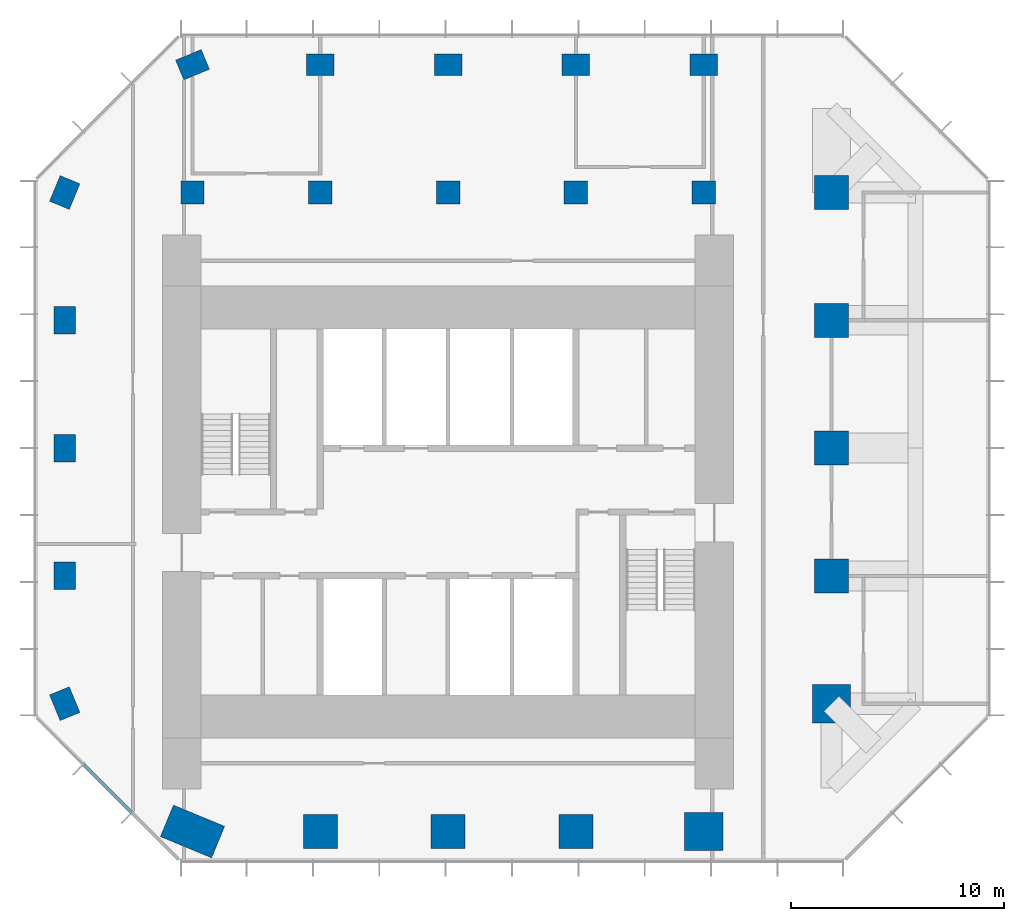
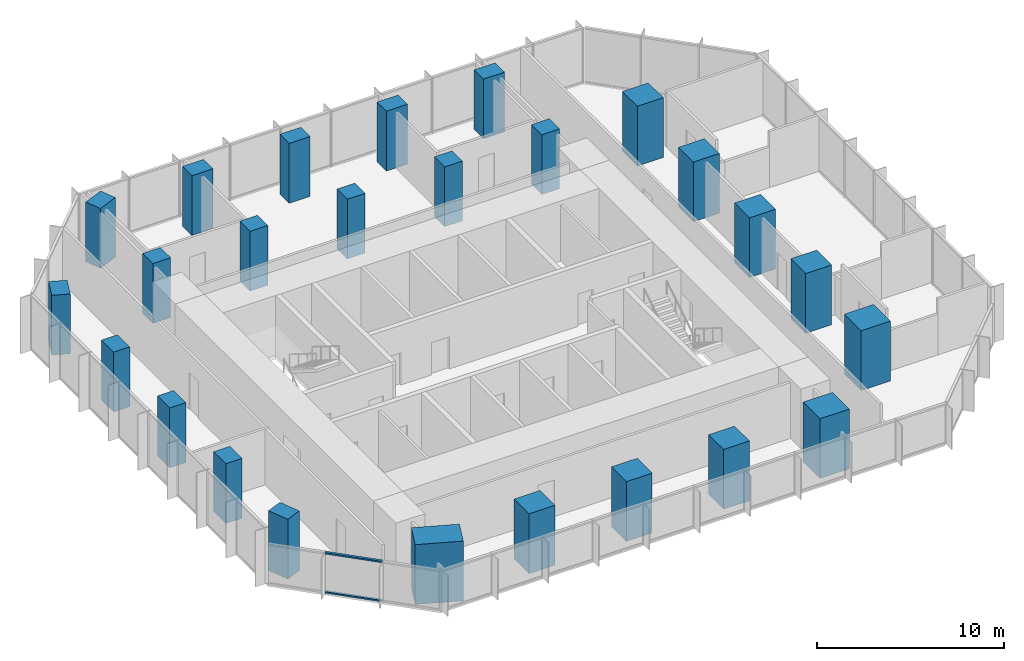
# One storey, part 1 of 10: 25 columns, 2 members, 1 element without a shape of its own.
"""IFC4 building model written with IfcOpenShell, lengths in metres."""

from ifc_helpers import new_model, si_unit, direction, frame, origin, origin_2d, place, context, subcontext, project, spatial, rectangle, extrude, material, layer, layer_set, material_profile, profile_set, type_object, element, aggregate, save


model = new_model("IFC4")

# Units and contexts
model_context = context("Model", 3, precision=1e-05, world=origin(), true_north=direction((0.0, 1.0)))
body_context = subcontext(model_context, "Body", "Model", "MODEL_VIEW")
ifc_project = project(units=[si_unit("LENGTHUNIT", "METRE"), si_unit("AREAUNIT", "SQUARE_METRE"), si_unit("VOLUMEUNIT", "CUBIC_METRE"), si_unit("PLANEANGLEUNIT", "RADIAN"), si_unit("MASSUNIT", "GRAM", prefix="KILO")], contexts=[model_context])

# Site, building, storey
site_placement = place(None, origin())
site = spatial("IfcSite", under=ifc_project, at=site_placement, CompositionType="ELEMENT")
building_placement = place(site_placement, origin())
building = spatial("IfcBuilding", under=site, at=building_placement, Name="Highveld Stack Headquarters", CompositionType="ELEMENT")
storey_placement = place(building_placement, frame((0.0, 0.0, 264.5)))
storey = spatial("IfcBuildingStorey", under=building, at=storey_placement, Name="L65", CompositionType="ELEMENT", Elevation=264.5)

# Columns
ifc_material_1 = material(Name="Concrete C60/75", Category="concrete")
ifc_material_profile_1 = material_profile(ifc_material_1, rectangle(XDim=1.10009765625, YDim=1.10009765625, at=origin_2d()), Name="RC 1100x1100")
ifc_profile_set_1 = profile_set([ifc_material_profile_1], Name="Concrete C60/75")
column_type_1 = type_object("IfcColumnType", Name="COLUMN RC 1100x1100 C60/75", PredefinedType="COLUMN", material=ifc_profile_set_1)
for number, where, z_axis, x_axis, name in (
    (1, (-6.0, 18.0, 0.0), (0.0, 0.0, 1.0), (1.0, 0.0, 0.0), "Column 5/H L65"),
    (2, (0.0, 18.0, 0.0), (0.0, 0.0, 1.0), (1.0, 0.0, 0.0), "Column 6/H L65"),
    (3, (6.0, 18.0, 0.0), (0.0, 0.0, 1.0), (1.0, 0.0, 0.0), "Column 7/H L65"),
    (4, (12.0, 18.0, 0.0), (0.0, 0.0, 1.0), (1.0, 0.0, 0.0), "Column 8/H L65"),
    (5, (18.0, 18.0, 0.0), (0.0, 0.0, 1.0), (1.0, 0.0, 0.0), "Column 9/H L65"),
):
    element("IfcColumn", number, at=place(storey_placement, frame(where, z_axis=z_axis, x_axis=x_axis)), inside=storey, type_object=column_type_1, Name=name, PredefinedType="COLUMN", context=body_context, shape_type="SweptSolid", body=[
        extrude(rectangle(XDim=1.10009765625, YDim=1.10009765625, at=origin_2d()), origin(), (0.0, 0.0, 1.0), 3.89990234375),
    ])
ifc_material_2 = material(Name="Concrete C60/75", Category="concrete")
ifc_material_profile_2 = material_profile(ifc_material_2, rectangle(XDim=1.300048828125, YDim=1.0, at=origin_2d()), Name="RC 1300x1000")
ifc_profile_set_2 = profile_set([ifc_material_profile_2], Name="Concrete C60/75")
column_type_2 = type_object("IfcColumnType", Name="COLUMN RC 1300x1000 C60/75", PredefinedType="COLUMN", material=ifc_profile_set_2)
for number, where, z_axis, x_axis, name in (
    (6, (-12.0, -6.0, 0.0), (0.0, 0.0, 1.0), (-0.382683432365, 0.923879532511, 0.0), "Column 4/D L65"),
    (7, (-12.0, 0.0, 0.0), (0.0, 0.0, 1.0), (0.0, 1.0, 0.0), "Column 4/E L65"),
    (8, (-12.0, 6.0, 0.0), (0.0, 0.0, 1.0), (0.0, 1.0, 0.0), "Column 4/F L65"),
    (9, (-12.0, 12.0, 0.0), (0.0, 0.0, 1.0), (0.0, 1.0, 0.0), "Column 4/G L65"),
    (10, (-12.0, 18.0, 0.0), (0.0, 0.0, 1.0), (0.382683432365, 0.923879532511, 0.0), "Column 4/H L65"),
    (11, (-6.0, 24.0, 0.0), (0.0, 0.0, 1.0), (0.923879532511, 0.382683432365, 0.0), "Column 5/J L65"),
    (12, (0.0, 24.0, 0.0), (0.0, 0.0, 1.0), (1.0, 0.0, 0.0), "Column 6/J L65"),
    (13, (6.0, 24.0, 0.0), (0.0, 0.0, 1.0), (1.0, 0.0, 0.0), "Column 7/J L65"),
    (14, (12.0, 24.0, 0.0), (0.0, 0.0, 1.0), (1.0, 0.0, 0.0), "Column 8/J L65"),
    (15, (18.0, 24.0, 0.0), (0.0, 0.0, 1.0), (1.0, 0.0, 0.0), "Column 9/J L65"),
):
    element("IfcColumn", number, at=place(storey_placement, frame(where, z_axis=z_axis, x_axis=x_axis)), inside=storey, type_object=column_type_2, Name=name, PredefinedType="COLUMN", context=body_context, shape_type="SweptSolid", body=[
        extrude(rectangle(XDim=1.300048828125, YDim=1.0, at=origin_2d()), origin(), (0.0, 0.0, 1.0), 3.89990234375),
    ])
ifc_material_3 = material(Name="Concrete C60/75", Category="concrete")
ifc_material_profile_3 = material_profile(ifc_material_3, rectangle(XDim=1.60009765625, YDim=1.60009765625, at=origin_2d()), Name="RC 1600x1600")
ifc_profile_set_3 = profile_set([ifc_material_profile_3], Name="Concrete C60/75")
column_type_3 = type_object("IfcColumnType", Name="COLUMN RC 1600x1600 C60/75", PredefinedType="COLUMN", material=ifc_profile_set_3)
for number, where, z_axis, x_axis, name in (
    (16, (0.0, -12.0, 0.0), (0.0, 0.0, 1.0), (1.0, 0.0, 0.0), "Column 6/C L65"),
    (17, (6.0, -12.0, 0.0), (0.0, 0.0, 1.0), (1.0, 0.0, 0.0), "Column 7/C L65"),
    (18, (12.0, -12.0, 0.0), (0.0, 0.0, 1.0), (1.0, 0.0, 0.0), "Column 8/C L65"),
    (19, (24.0, 0.0, 0.0), (0.0, 0.0, 1.0), (1.0, 0.0, 0.0), "Column 10/E L65"),
    (20, (24.0, 6.0, 0.0), (0.0, 0.0, 1.0), (1.0, 0.0, 0.0), "Column 10/F L65"),
    (21, (24.0, 12.0, 0.0), (0.0, 0.0, 1.0), (1.0, 0.0, 0.0), "Column 10/G L65"),
    (22, (24.0, 18.0, 0.0), (0.0, 0.0, 1.0), (1.0, 0.0, 0.0), "Column 10/H L65"),
):
    element("IfcColumn", number, at=place(storey_placement, frame(where, z_axis=z_axis, x_axis=x_axis)), inside=storey, type_object=column_type_3, Name=name, PredefinedType="COLUMN", context=body_context, shape_type="SweptSolid", body=[
        extrude(rectangle(XDim=1.60009765625, YDim=1.60009765625, at=origin_2d()), origin(), (0.0, 0.0, 1.0), 3.89990234375),
    ])
ifc_material_4 = material(Name="Concrete C60/75", Category="concrete")
ifc_material_profile_4 = material_profile(ifc_material_4, rectangle(XDim=1.800048828125, YDim=1.800048828125, at=origin_2d()), Name="RC 1800x1800")
ifc_profile_set_4 = profile_set([ifc_material_profile_4], Name="Concrete C60/75")
column_type_4 = type_object("IfcColumnType", Name="COLUMN RC 1800x1800 C60/75", PredefinedType="COLUMN", material=ifc_profile_set_4)
for number, where, z_axis, x_axis, name in (
    (23, (18.0, -12.0, 0.0), (0.0, 0.0, 1.0), (1.0, 0.0, 0.0), "Column 9/C L65"),
    (24, (24.0, -6.0, 0.0), (0.0, 0.0, 1.0), (1.0, 0.0, 0.0), "Column 10/D L65"),
):
    element("IfcColumn", number, at=place(storey_placement, frame(where, z_axis=z_axis, x_axis=x_axis)), inside=storey, type_object=column_type_4, Name=name, PredefinedType="COLUMN", context=body_context, shape_type="SweptSolid", body=[
        extrude(rectangle(XDim=1.800048828125, YDim=1.800048828125, at=origin_2d()), origin(), (0.0, 0.0, 1.0), 3.89990234375),
    ])
ifc_material_5 = material(Name="Concrete C60/75", Category="concrete")
ifc_material_profile_5 = material_profile(ifc_material_5, rectangle(XDim=2.60009765625, YDim=1.60009765625, at=origin_2d()), Name="RC 2600x1600")
ifc_profile_set_5 = profile_set([ifc_material_profile_5], Name="Concrete C60/75")
column_type_5 = type_object("IfcColumnType", Name="COLUMN RC 2600x1600 C60/75", PredefinedType="COLUMN", material=ifc_profile_set_5)
column_placement = place(storey_placement, frame((-6.0, -12.0, 0.0), z_axis=(0.0, 0.0, 1.0), x_axis=(-0.923879532511, 0.382683432365, 0.0)))
element("IfcColumn", 25, at=column_placement, inside=storey, type_object=column_type_5, Name="Column 5/C L65", PredefinedType="COLUMN", context=body_context, shape_type="SweptSolid", body=[
    extrude(rectangle(XDim=2.60009765625, YDim=1.60009765625, at=origin_2d()), origin(), (0.0, 0.0, 1.0), 3.89990234375),
])

# Curtain wall, members
ifc_material_6 = material(Name="Aluminium bronze anodised", Category="aluminium")
ifc_layer = layer(ifc_material_6, 0.199951171875)
ifc_layer_set = layer_set([ifc_layer], Name="Aluminium bronze anodised")
curtain_wall_type = type_object("IfcCurtainWallType", Name="CW5 EXECUTIVE UNITISED CURTAIN WALL", PredefinedType="NOTDEFINED", material=ifc_layer_set)
curtain_wall_placement = place(storey_placement, origin())
curtain_wall = element("IfcCurtainWall", 26, at=curtain_wall_placement, inside=storey, type_object=curtain_wall_type, Name="Curtain wall CW5 L65 SW", PredefinedType="NOTDEFINED")
ifc_material_7 = material(Name="Aluminium bronze anodised", Category="aluminium")
ifc_material_profile_6 = material_profile(ifc_material_7, rectangle(XDim=0.14990234375, YDim=0.10009765625, at=origin_2d()), Name="CW5 TRANSOM 150x100")
ifc_profile_set_6 = profile_set([ifc_material_profile_6], Name="Aluminium bronze anodised")
member_type = type_object("IfcMemberType", Name="CW5 STACK TRANSOM 150x100", PredefinedType="USERDEFINED", material=ifc_profile_set_6)
member_1_placement = place(storey_placement, frame((-11.103759765625, -8.876220703125, 0.050048828125), z_axis=(0.707106781187, -0.707106781187, 0.0), x_axis=(0.707106781187, 0.707106781187, 0.0)))
member_1 = element("IfcMember", 27, at=member_1_placement, type_object=member_type, Name="CW5 transom L65 2.1", ObjectType="TRANSOM", PredefinedType="USERDEFINED", context=body_context, shape_type="SweptSolid", body=[
    extrude(rectangle(XDim=0.14990234375, YDim=0.10009765625, at=origin_2d()), origin(), (0.0, 0.0, 1.0), 3.150146484375),
])
member_2_placement = place(storey_placement, frame((-11.103759765625, -8.876220703125, 2.60009765625), z_axis=(0.707106781187, -0.707106781187, 0.0), x_axis=(0.707106781187, 0.707106781187, 0.0)))
member_2 = element("IfcMember", 28, at=member_2_placement, type_object=member_type, Name="CW5 transom L65 2.2", ObjectType="TRANSOM", PredefinedType="USERDEFINED", context=body_context, shape_type="SweptSolid", body=[
    extrude(rectangle(XDim=0.14990234375, YDim=0.10009765625, at=origin_2d()), origin(), (0.0, 0.0, 1.0), 3.150146484375),
])
aggregate(curtain_wall, [member_1, member_2])

save(model, "model.ifc")
